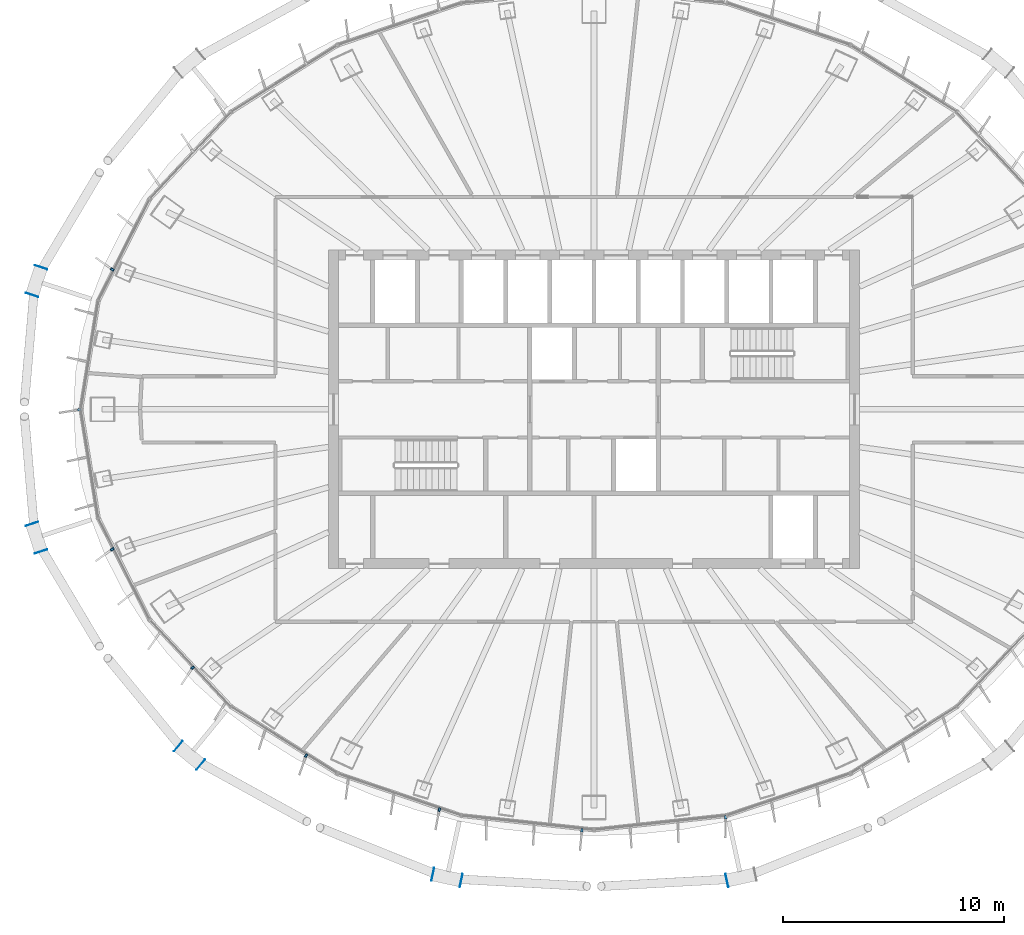
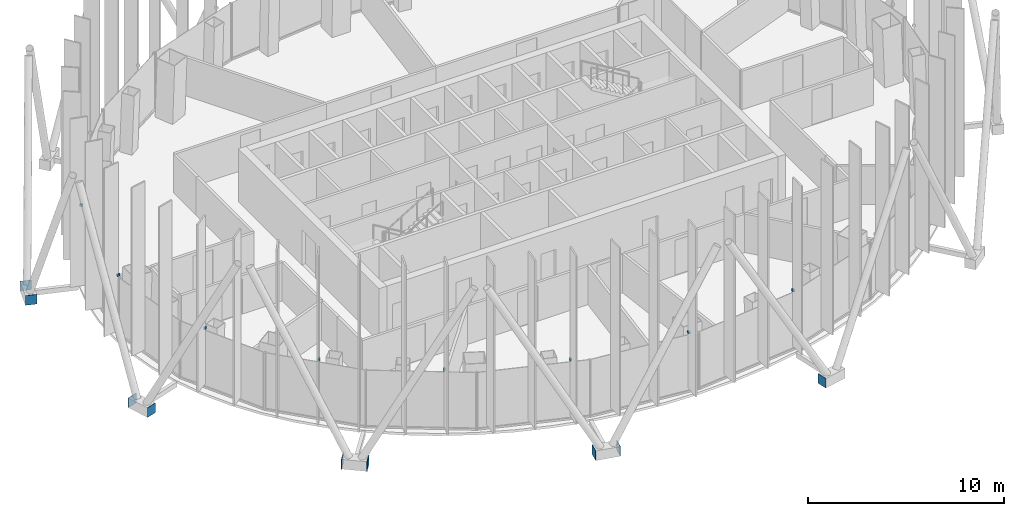
# One storey, part 13 of 19: 17 discrete accessories.
"""IFC4 building model written with IfcOpenShell, lengths in metres."""

from ifc_helpers import new_model, si_unit, direction, frame, origin, origin_2d, place, context, subcontext, project, spatial, rectangle, extrude, material, layer, layer_set, type_object, element, save


model = new_model("IFC4")

# Units and contexts
model_context = context("Model", 3, precision=1e-05, world=origin(), true_north=direction((0.0, 1.0)))
body_context = subcontext(model_context, "Body", "Model", "MODEL_VIEW")
ifc_project = project(units=[si_unit("LENGTHUNIT", "METRE"), si_unit("AREAUNIT", "SQUARE_METRE"), si_unit("VOLUMEUNIT", "CUBIC_METRE"), si_unit("PLANEANGLEUNIT", "RADIAN"), si_unit("MASSUNIT", "GRAM", prefix="KILO")], contexts=[model_context])

# Site, building, storey
site_placement = place(None, origin())
site = spatial("IfcSite", under=ifc_project, at=site_placement, CompositionType="ELEMENT")
building_placement = place(site_placement, origin())
building = spatial("IfcBuilding", under=site, at=building_placement, Name="Siaravel Broadcast Tower", CompositionType="ELEMENT")
storey_placement = place(building_placement, frame((0.0, 0.0, 179.300048828125)))
storey = spatial("IfcBuildingStorey", under=building, at=storey_placement, Name="L43", CompositionType="ELEMENT", Elevation=179.300048828125)

# Discrete accessories
ifc_material_1 = material(Name="Stainless steel 316", Category="steel")
discrete_accessory_type_1 = type_object("IfcDiscreteAccessoryType", Name="Stainless steel fin bracket", PredefinedType="USERDEFINED", material=ifc_material_1)
for number, where, z_axis, x_axis, name in (
    (1, (-21.7744140625, 6.3212890625, 3.68017578125), (0.0, 0.0, 1.0), (-0.892392151, 0.451260732, 0.0), "Fin bracket L43-28"),
    (2, (-23.263671875, -0.010986328125, 3.68017578125), (0.0, 0.0, 1.0), (-0.987329198, -0.158685394, 0.0), "Fin bracket L43-31"),
    (3, (-21.7744140625, -6.3212890625, 3.68017578125), (0.0, 0.0, 1.0), (-0.892392151, -0.451260732, 0.0), "Fin bracket L43-34"),
    (4, (-18.14501953125, -11.680908203125, 3.68017578125), (0.0, 0.0, 1.0), (-0.729805608, -0.683654718, 0.0), "Fin bracket L43-37"),
    (5, (-13.01708984375, -15.651123046875, 3.68017578125), (0.0, 0.0, 1.0), (-0.532149452, -0.846650436, 0.0), "Fin bracket L43-40"),
    (6, (-6.994384765625, -18.09765625, 3.68017578125), (0.0, 0.0, 1.0), (-0.321300635, -0.946977245, 0.0), "Fin bracket L43-43"),
    (7, (-0.547607421875, -19.019287109375, 3.68017578125), (0.0, 0.0, 1.0), (-0.107216783, -0.994235667, 0.0), "Fin bracket L43-46"),
    (8, (5.94775390625, -18.43701171875, 3.68017578125), (0.0, 0.0, 1.0), (0.107216783, -0.994235667, 0.0), "Fin bracket L43-49"),
):
    element("IfcDiscreteAccessory", number, at=place(storey_placement, frame(where, z_axis=z_axis, x_axis=x_axis)), inside=storey, type_object=discrete_accessory_type_1, Name=name, ObjectType="BRACKET", PredefinedType="USERDEFINED", context=body_context, shape_type="SweptSolid", body=[
        extrude(rectangle(XDim=0.159912109375, YDim=0.10009765625, at=origin_2d()), origin(), (0.0, 0.0, 1.0), 0.139892578125),
    ])
ifc_material_2 = material(Name="Steel S355", Category="steel")
ifc_layer = layer(ifc_material_2, 0.02001953125)
ifc_layer_set = layer_set([ifc_layer], Name="Steel S355")
discrete_accessory_type_2 = type_object("IfcDiscreteAccessoryType", Name="Steel end plate 20 mm", PredefinedType="USERDEFINED", material=ifc_layer_set)
for number, where, z_axis, x_axis, name in (
    (9, (-25.40234375, 5.17236328125, -0.5), (0.0, 0.0, 1.0), (-0.310910334, -0.950439248, 0.0), "End plate R18 station 33A"),
    (10, (-24.993896484375, 6.420654296875, -0.5), (0.0, 0.0, 1.0), (-0.310910334, -0.950439248, 0.0), "End plate R18 station 33B"),
    (11, (-24.993896484375, -6.420654296875, -0.5), (0.0, 0.0, 1.0), (0.310910334, -0.950439248, 0.0), "End plate R18 station 39A"),
    (12, (-25.40234375, -5.17236328125, -0.5), (0.0, 0.0, 1.0), (0.310910334, -0.950439248, 0.0), "End plate R18 station 39B"),
    (13, (-17.77685546875, -16.055419921875, -0.5), (0.0, 0.0, 1.0), (0.773604694, -0.633668508, 0.0), "End plate R18 station 45A"),
    (14, (-18.792724609375, -15.22314453125, -0.5), (0.0, 0.0, 1.0), (0.773604694, -0.633668508, 0.0), "End plate R18 station 45B"),
    (15, (-6.005615234375, -21.29638671875, -0.5), (0.0, 0.0, 1.0), (0.976750917, -0.214377344, 0.0), "End plate R18 station 51A"),
    (16, (-7.28857421875, -21.0146484375, -0.5), (0.0, 0.0, 1.0), (0.976750917, -0.214377344, 0.0), "End plate R18 station 51B"),
    (17, (6.005615234375, -21.29638671875, -0.5), (0.0, 0.0, 1.0), (0.976750917, 0.214377344, 0.0), "End plate R18 station 57B"),
):
    element("IfcDiscreteAccessory", number, at=place(storey_placement, frame(where, z_axis=z_axis, x_axis=x_axis)), inside=storey, type_object=discrete_accessory_type_2, Name=name, ObjectType="END PLATE", PredefinedType="USERDEFINED", context=body_context, shape_type="SweptSolid", body=[
        extrude(rectangle(XDim=0.02001953125, YDim=0.60009765625, at=origin_2d()), origin(), (0.0, 0.0, 1.0), 0.60009765625),
    ])

save(model, "model.ifc")
